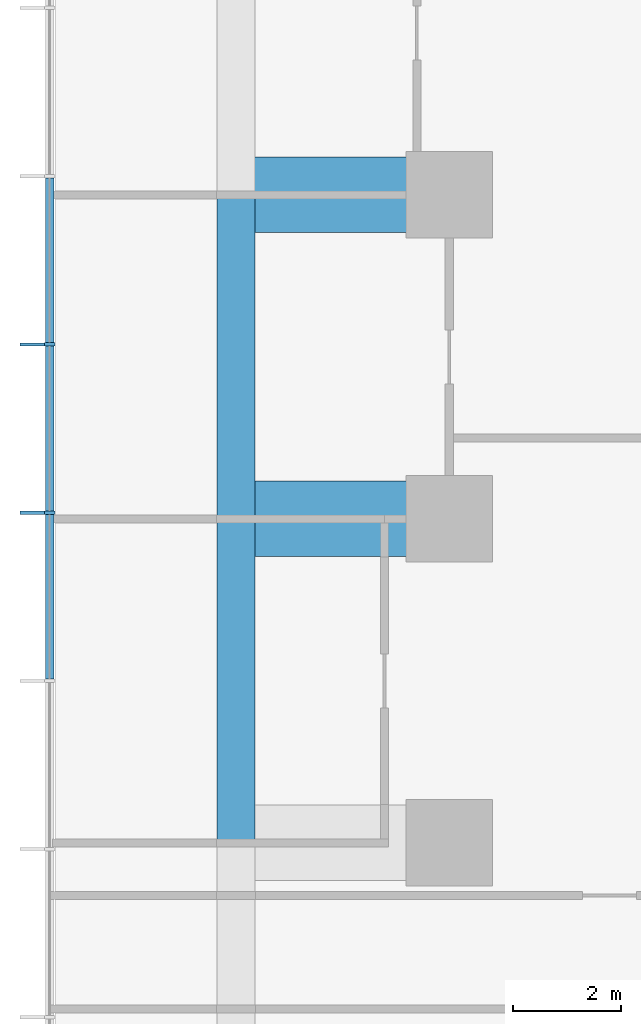
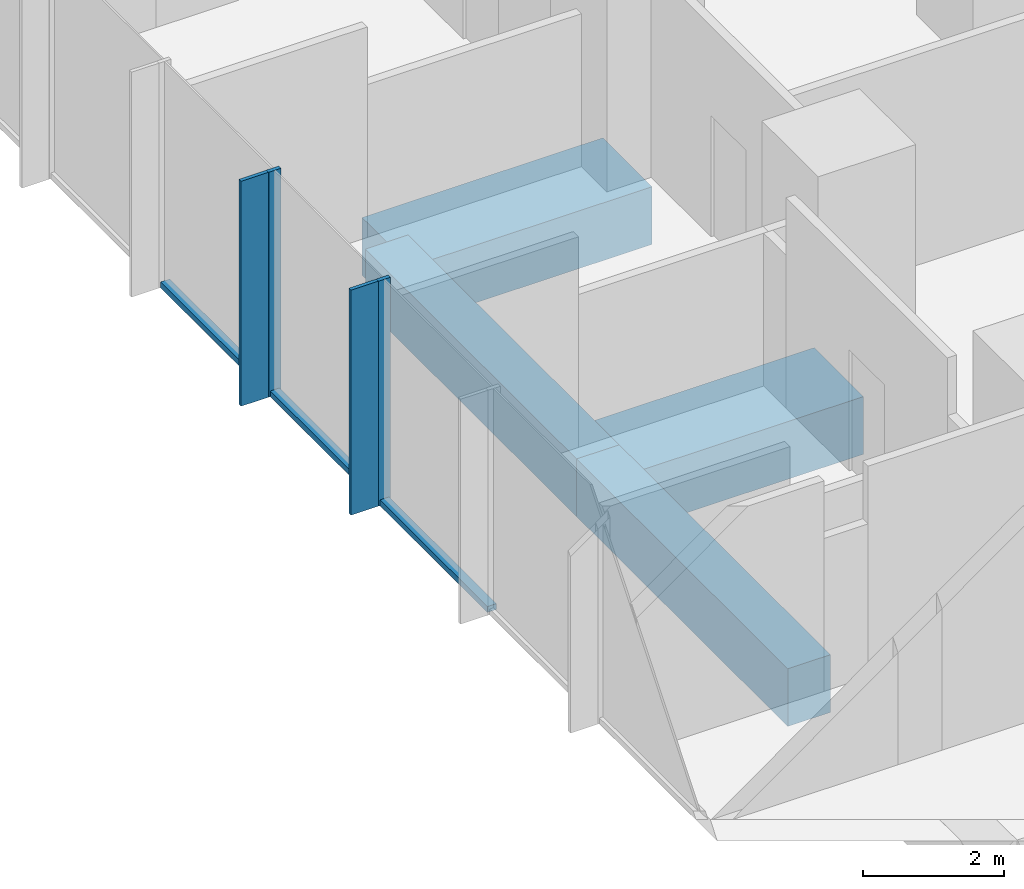
# One storey, part 3 of 11: 7 members, 4 beams, 1 element without a shape of its own.
"""IFC4 building model written with IfcOpenShell, lengths in metres."""

from ifc_helpers import new_model, si_unit, direction, frame, origin, origin_2d, place, context, subcontext, project, spatial, rectangle, extrude, material, layer, layer_set, material_profile, profile_set, type_object, element, aggregate, save


model = new_model("IFC4")

# Units and contexts
model_context = context("Model", 3, precision=1e-05, world=origin(), true_north=direction((0.0, 1.0)))
body_context = subcontext(model_context, "Body", "Model", "MODEL_VIEW")
ifc_project = project(units=[si_unit("LENGTHUNIT", "METRE"), si_unit("AREAUNIT", "SQUARE_METRE"), si_unit("VOLUMEUNIT", "CUBIC_METRE"), si_unit("PLANEANGLEUNIT", "RADIAN"), si_unit("MASSUNIT", "GRAM", prefix="KILO")], contexts=[model_context])

# Site, building, storey
site_placement = place(None, origin())
site = spatial("IfcSite", under=ifc_project, at=site_placement, CompositionType="ELEMENT")
building_placement = place(site_placement, origin())
building = spatial("IfcBuilding", under=site, at=building_placement, Name="Highveld Stack Headquarters", CompositionType="ELEMENT")
storey_placement = place(building_placement, frame((0.0, 0.0, 132.800048828125)))
storey = spatial("IfcBuildingStorey", under=building, at=storey_placement, Name="L32", CompositionType="ELEMENT", Elevation=132.800048828125)

# Beams
ifc_material_1 = material(Name="Concrete C60/75", Category="concrete")
ifc_material_profile_1 = material_profile(ifc_material_1, rectangle(XDim=1.39990234375, YDim=1.0, at=origin_2d()), Name="RC 1400x1000")
ifc_profile_set_1 = profile_set([ifc_material_profile_1], Name="Concrete C60/75")
beam_type_1 = type_object("IfcBeamType", Name="CANTILEVER RIB RC 1400x1000", PredefinedType="USERDEFINED", material=ifc_profile_set_1)
for number, where, z_axis, x_axis, name in (
    (1, (-18.0, 6.0, -0.75), (-1.0, 0.0, 0.0), (0.0, -1.0, 0.0), "Cantilever rib 3/F L32"),
    (2, (-18.0, 12.0, -0.75), (-1.0, 0.0, 0.0), (0.0, -1.0, 0.0), "Cantilever rib 3/G L32"),
):
    element("IfcBeam", number, at=place(storey_placement, frame(where, z_axis=z_axis, x_axis=x_axis)), inside=storey, type_object=beam_type_1, Name=name, ObjectType="CANTILEVER RIB", PredefinedType="USERDEFINED", context=body_context, shape_type="SweptSolid", body=[
        extrude(rectangle(XDim=1.39990234375, YDim=1.0, at=origin_2d()), origin(), (0.0, 0.0, 1.0), 3.949951171875),
    ])

# Curtain wall, members
ifc_material_2 = material(Name="Aluminium bronze anodised", Category="aluminium")
ifc_layer = layer(ifc_material_2, 0.199951171875)
ifc_layer_set = layer_set([ifc_layer], Name="Aluminium bronze anodised")
curtain_wall_type = type_object("IfcCurtainWallType", Name="CW1 TOWER UNITISED CURTAIN WALL", PredefinedType="NOTDEFINED", material=ifc_layer_set)
curtain_wall_placement = place(storey_placement, origin())
curtain_wall = element("IfcCurtainWall", 3, at=curtain_wall_placement, inside=storey, type_object=curtain_wall_type, Name="Curtain wall CW1 L32 W", PredefinedType="NOTDEFINED")
ifc_material_3 = material(Name="Aluminium bronze anodised", Category="aluminium")
ifc_material_profile_2 = material_profile(ifc_material_3, rectangle(XDim=0.449951171875, YDim=0.06005859375, at=origin_2d()), Name="FIN 450x60")
ifc_profile_set_2 = profile_set([ifc_material_profile_2], Name="Aluminium bronze anodised")
member_type_1 = type_object("IfcMemberType", Name="CW1 BRONZE FIN 450x60", PredefinedType="USERDEFINED", material=ifc_profile_set_2)
member_1_placement = place(storey_placement, frame((-25.72509765625, 9.23193359375, 0.0), z_axis=(0.0, 0.0, 1.0), x_axis=(1.0, 0.0, 0.0)))
member_1 = element("IfcMember", 4, at=member_1_placement, type_object=member_type_1, Name="CW1 fin L32 4", ObjectType="FIN", PredefinedType="USERDEFINED", context=body_context, shape_type="SweptSolid", body=[
    extrude(rectangle(XDim=0.449951171875, YDim=0.06005859375, at=origin_2d()), origin(), (0.0, 0.0, 1.0), 3.89990234375),
])
member_2_placement = place(storey_placement, frame((-25.72509765625, 6.115966796875, 0.0), z_axis=(0.0, 0.0, 1.0), x_axis=(1.0, 0.0, 0.0)))
member_2 = element("IfcMember", 5, at=member_2_placement, type_object=member_type_1, Name="CW1 fin L32 5", ObjectType="FIN", PredefinedType="USERDEFINED", context=body_context, shape_type="SweptSolid", body=[
    extrude(rectangle(XDim=0.449951171875, YDim=0.06005859375, at=origin_2d()), origin(), (0.0, 0.0, 1.0), 3.89990234375),
])
ifc_material_4 = material(Name="Aluminium bronze anodised", Category="aluminium")
ifc_material_profile_3 = material_profile(ifc_material_4, rectangle(XDim=0.199951171875, YDim=0.06494140625, at=origin_2d()), Name="CW1 MULLION 65x200")
ifc_profile_set_3 = profile_set([ifc_material_profile_3], Name="Aluminium bronze anodised")
member_type_2 = type_object("IfcMemberType", Name="CW1 MULLION 65x200", PredefinedType="MULLION", material=ifc_profile_set_3)
member_3_placement = place(storey_placement, frame((-25.39990234375, 9.23193359375, 0.0), z_axis=(0.0, 0.0, 1.0), x_axis=(1.0, 0.0, 0.0)))
member_3 = element("IfcMember", 6, at=member_3_placement, type_object=member_type_2, Name="CW1 mullion L32 4", PredefinedType="MULLION", context=body_context, shape_type="SweptSolid", body=[
    extrude(rectangle(XDim=0.199951171875, YDim=0.06494140625, at=origin_2d()), origin(), (0.0, 0.0, 1.0), 3.89990234375),
])
member_4_placement = place(storey_placement, frame((-25.39990234375, 6.115966796875, 0.0), z_axis=(0.0, 0.0, 1.0), x_axis=(1.0, 0.0, 0.0)))
member_4 = element("IfcMember", 7, at=member_4_placement, type_object=member_type_2, Name="CW1 mullion L32 5", PredefinedType="MULLION", context=body_context, shape_type="SweptSolid", body=[
    extrude(rectangle(XDim=0.199951171875, YDim=0.06494140625, at=origin_2d()), origin(), (0.0, 0.0, 1.0), 3.89990234375),
])
ifc_material_5 = material(Name="Aluminium bronze anodised", Category="aluminium")
ifc_material_profile_4 = material_profile(ifc_material_5, rectangle(XDim=0.14990234375, YDim=0.10009765625, at=origin_2d()), Name="CW1 TRANSOM 150x100")
ifc_profile_set_4 = profile_set([ifc_material_profile_4], Name="Aluminium bronze anodised")
member_type_3 = type_object("IfcMemberType", Name="CW1 STACK TRANSOM 150x100", PredefinedType="USERDEFINED", material=ifc_profile_set_4)
member_5_placement = place(storey_placement, frame((-25.39990234375, 12.3154296875, 0.050048828125), z_axis=(0.0, -1.0, 0.0), x_axis=(1.0, 0.0, 0.0)))
member_5 = element("IfcMember", 8, at=member_5_placement, type_object=member_type_3, Name="CW1 transom L32 3.1", ObjectType="TRANSOM", PredefinedType="USERDEFINED", context=body_context, shape_type="SweptSolid", body=[
    extrude(rectangle(XDim=0.14990234375, YDim=0.10009765625, at=origin_2d()), origin(), (0.0, 0.0, 1.0), 3.051025390625),
])
member_6_placement = place(storey_placement, frame((-25.39990234375, 9.199462890625, 0.050048828125), z_axis=(0.0, -1.0, 0.0), x_axis=(1.0, 0.0, 0.0)))
member_6 = element("IfcMember", 9, at=member_6_placement, type_object=member_type_3, Name="CW1 transom L32 4.1", ObjectType="TRANSOM", PredefinedType="USERDEFINED", context=body_context, shape_type="SweptSolid", body=[
    extrude(rectangle(XDim=0.14990234375, YDim=0.10009765625, at=origin_2d()), origin(), (0.0, 0.0, 1.0), 3.051025390625),
])
member_7_placement = place(storey_placement, frame((-25.39990234375, 6.08349609375, 0.050048828125), z_axis=(0.0, -1.0, 0.0), x_axis=(1.0, 0.0, 0.0)))
member_7 = element("IfcMember", 10, at=member_7_placement, type_object=member_type_3, Name="CW1 transom L32 5.1", ObjectType="TRANSOM", PredefinedType="USERDEFINED", context=body_context, shape_type="SweptSolid", body=[
    extrude(rectangle(XDim=0.14990234375, YDim=0.10009765625, at=origin_2d()), origin(), (0.0, 0.0, 1.0), 3.051025390625),
])
aggregate(curtain_wall, [member_3, member_1, member_4, member_2, member_5, member_6, member_7])

# Beams
ifc_material_6 = material(Name="Concrete C60/75", Category="concrete")
ifc_material_profile_5 = material_profile(ifc_material_6, rectangle(XDim=0.699951171875, YDim=1.0, at=origin_2d()), Name="RC 700x1000")
ifc_profile_set_5 = profile_set([ifc_material_profile_5], Name="Concrete C60/75")
beam_type_2 = type_object("IfcBeamType", Name="RIB TIP BEAM RC 700x1000", PredefinedType="SPANDREL", material=ifc_profile_set_5)
for number, where, z_axis, x_axis, name in (
    (11, (-21.949951171875, 0.0, -0.75), (0.0, 1.0, 0.0), (-1.0, 0.0, 0.0), "Rib tip beam 3/E to 3/F L32"),
    (12, (-21.949951171875, 6.0, -0.75), (0.0, 1.0, 0.0), (-1.0, 0.0, 0.0), "Rib tip beam 3/F to 3/G L32"),
):
    element("IfcBeam", number, at=place(storey_placement, frame(where, z_axis=z_axis, x_axis=x_axis)), inside=storey, type_object=beam_type_2, Name=name, PredefinedType="SPANDREL", context=body_context, shape_type="SweptSolid", body=[
        extrude(rectangle(XDim=0.699951171875, YDim=1.0, at=origin_2d()), origin(), (0.0, 0.0, 1.0), 6.0),
    ])

save(model, "model.ifc")
